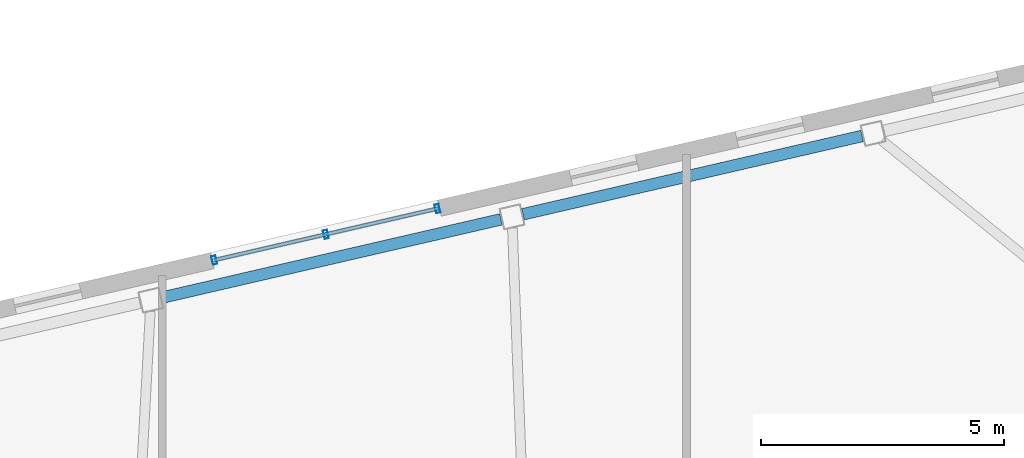
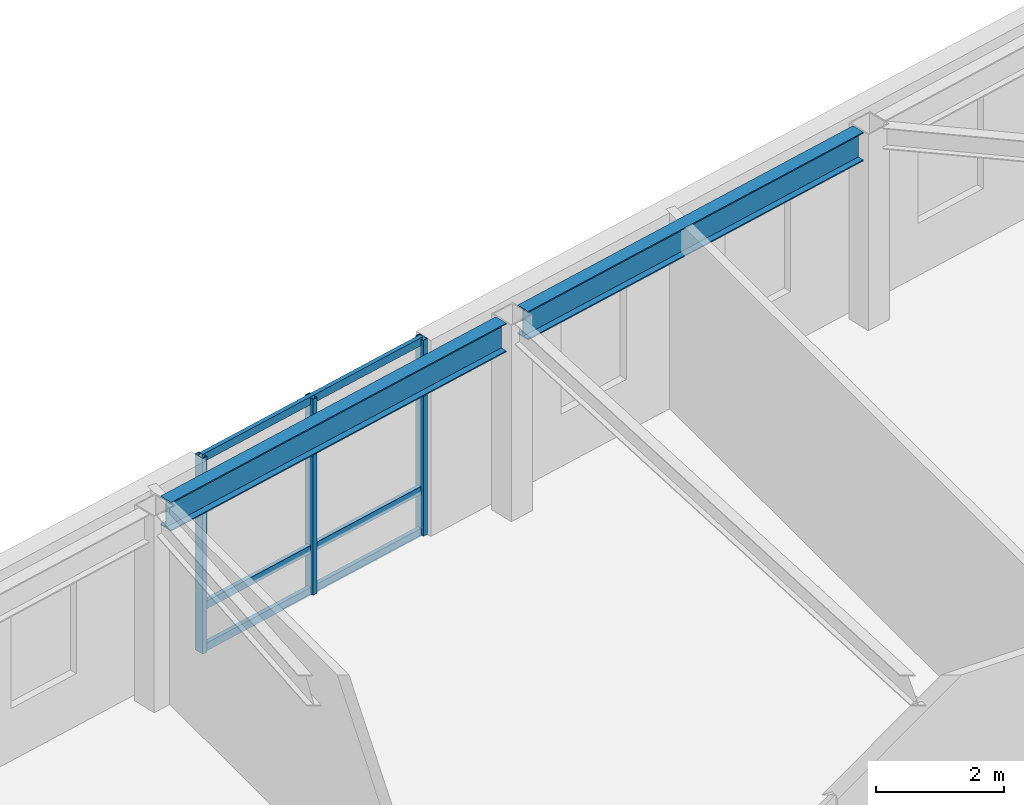
# One storey, part 14 of 23: 6 members, 2 beams, 1 element without a shape of its own.
"""IFC4 building model written with IfcOpenShell, lengths in metres."""

from ifc_helpers import new_model, si_unit, direction, frame, origin, origin_2d, place, context, subcontext, project, spatial, hollow_rectangle, i_section, extrude, material, layer, layer_set, material_profile, profile_set, type_object, element, aggregate, save


model = new_model("IFC4")

# Units and contexts
model_context = context("Model", 3, precision=1e-05, world=origin(), true_north=direction((0.0, 1.0)))
body_context = subcontext(model_context, "Body", "Model", "MODEL_VIEW")
ifc_project = project(units=[si_unit("LENGTHUNIT", "METRE"), si_unit("AREAUNIT", "SQUARE_METRE"), si_unit("VOLUMEUNIT", "CUBIC_METRE"), si_unit("PLANEANGLEUNIT", "RADIAN"), si_unit("MASSUNIT", "GRAM", prefix="KILO")], contexts=[model_context])

# Site, building, storey
site_placement = place(None, origin())
site = spatial("IfcSite", under=ifc_project, at=site_placement, CompositionType="ELEMENT")
building_placement = place(site_placement, origin())
building = spatial("IfcBuilding", under=site, at=building_placement, Name="Tavrogorsk Clinical Tower", CompositionType="ELEMENT")
storey_placement = place(building_placement, frame((0.0, 0.0, 301.0)))
storey = spatial("IfcBuildingStorey", under=building, at=storey_placement, Name="L70", CompositionType="ELEMENT", Elevation=301.0)

# Curtain wall, members
ifc_material_1 = material(Name="Anodised aluminium and triple IGU glazing", Category="aluminium")
ifc_layer = layer(ifc_material_1, 0.179931640625)
ifc_layer_set = layer_set([ifc_layer], Name="Anodised aluminium and triple IGU glazing")
curtain_wall_type = type_object("IfcCurtainWallType", Name="CW2_NorthSlot", PredefinedType="NOTDEFINED", material=ifc_layer_set)
curtain_wall_placement = place(storey_placement, origin())
curtain_wall = element("IfcCurtainWall", 1, at=curtain_wall_placement, inside=storey, type_object=curtain_wall_type, Name="L70 Curtain Wall CW-L70-N-SLOT-2", PredefinedType="NOTDEFINED")
ifc_material_2 = material(Name="Anodised aluminium alloy AW-6060", Category="aluminium")
ifc_material_profile_1 = material_profile(ifc_material_2, hollow_rectangle(XDim=0.090087890625, YDim=0.179931640625, WallThickness=0.00634765625, at=origin_2d()), Name="RHS-180x90x6.3")
ifc_profile_set_1 = profile_set([ifc_material_profile_1], Name="Anodised aluminium alloy AW-6060")
member_type_1 = type_object("IfcMemberType", Name="CwMullion_180x90", PredefinedType="MULLION", material=ifc_profile_set_1)
member_1_placement = place(storey_placement, frame((2.26904296875, 22.400634765625, 0.0), z_axis=(0.0, 0.0, 1.0), x_axis=(-0.974370092441, -0.224950934554, 0.0)))
member_1 = element("IfcMember", 2, at=member_1_placement, type_object=member_type_1, Name="CW-L70-N-SLOT-2 Mullion 1", PredefinedType="MULLION", context=body_context, shape_type="SweptSolid", body=[
    extrude(hollow_rectangle(XDim=0.090087890625, YDim=0.179931640625, WallThickness=0.00634765625, at=origin_2d()), origin(), (0.0, 0.0, 1.0), 3.739990234375),
])
member_2_placement = place(storey_placement, frame((-0.029541015625, 21.869873046875, 0.0), z_axis=(0.0, 0.0, 1.0), x_axis=(-0.974370092441, -0.224950934554, 0.0)))
member_2 = element("IfcMember", 3, at=member_2_placement, type_object=member_type_1, Name="CW-L70-N-SLOT-2 Mullion 2", PredefinedType="MULLION", context=body_context, shape_type="SweptSolid", body=[
    extrude(hollow_rectangle(XDim=0.090087890625, YDim=0.179931640625, WallThickness=0.00634765625, at=origin_2d()), origin(), (0.0, 0.0, 1.0), 3.739990234375),
])
member_3_placement = place(storey_placement, frame((-2.328125, 21.339111328125, 0.0), z_axis=(0.0, 0.0, 1.0), x_axis=(-0.974370092441, -0.224950934554, 0.0)))
member_3 = element("IfcMember", 4, at=member_3_placement, type_object=member_type_1, Name="CW-L70-N-SLOT-2 Mullion 3", PredefinedType="MULLION", context=body_context, shape_type="SweptSolid", body=[
    extrude(hollow_rectangle(XDim=0.090087890625, YDim=0.179931640625, WallThickness=0.00634765625, at=origin_2d()), origin(), (0.0, 0.0, 1.0), 3.739990234375),
])
ifc_material_3 = material(Name="Anodised aluminium alloy AW-6060", Category="aluminium")
ifc_material_profile_2 = material_profile(ifc_material_3, hollow_rectangle(XDim=0.074951171875, YDim=0.14990234375, WallThickness=0.0048828125, at=origin_2d()), Name="RHS-150x75x5")
ifc_profile_set_2 = profile_set([ifc_material_profile_2], Name="Anodised aluminium alloy AW-6060")
member_type_2 = type_object("IfcMemberType", Name="CwTransom_150x75", PredefinedType="USERDEFINED", material=ifc_profile_set_2)
member_4_placement = place(storey_placement, frame((2.26904296875, 22.400634765625, 0.050048828125), z_axis=(-0.974361535497, -0.224987995557, 0.0), x_axis=(0.224987995557, -0.974361535497, 0.0)))
member_4 = element("IfcMember", 5, at=member_4_placement, type_object=member_type_2, Name="CW-L70-N-SLOT-2 Transom 1", ObjectType="TRANSOM", PredefinedType="USERDEFINED", context=body_context, shape_type="SweptSolid", body=[
    extrude(hollow_rectangle(XDim=0.074951171875, YDim=0.14990234375, WallThickness=0.0048828125, at=origin_2d()), origin(), (0.0, 0.0, 1.0), 4.718017578125),
])
member_5_placement = place(storey_placement, frame((2.26904296875, 22.400634765625, 0.85009765625), z_axis=(-0.974361535497, -0.224987995557, 0.0), x_axis=(0.224987995557, -0.974361535497, 0.0)))
member_5 = element("IfcMember", 6, at=member_5_placement, type_object=member_type_2, Name="CW-L70-N-SLOT-2 Transom 2", ObjectType="TRANSOM", PredefinedType="USERDEFINED", context=body_context, shape_type="SweptSolid", body=[
    extrude(hollow_rectangle(XDim=0.074951171875, YDim=0.14990234375, WallThickness=0.0048828125, at=origin_2d()), origin(), (0.0, 0.0, 1.0), 4.718017578125),
])
member_6_placement = place(storey_placement, frame((2.26904296875, 22.400634765625, 3.68994140625), z_axis=(-0.974361535497, -0.224987995557, 0.0), x_axis=(0.224987995557, -0.974361535497, 0.0)))
member_6 = element("IfcMember", 7, at=member_6_placement, type_object=member_type_2, Name="CW-L70-N-SLOT-2 Transom 3", ObjectType="TRANSOM", PredefinedType="USERDEFINED", context=body_context, shape_type="SweptSolid", body=[
    extrude(hollow_rectangle(XDim=0.074951171875, YDim=0.14990234375, WallThickness=0.0048828125, at=origin_2d()), origin(), (0.0, 0.0, 1.0), 4.718017578125),
])
aggregate(curtain_wall, [member_1, member_2, member_3, member_4, member_5, member_6])

# Beams
ifc_material_4 = material(Name="Structural steel S390", Category="steel")
ifc_material_profile_3 = material_profile(ifc_material_4, i_section(OverallWidth=0.239990234375, OverallDepth=0.550048828125, WebThickness=0.013916015625, FlangeThickness=0.02197265625, at=origin_2d()), Name="B-550x240x14x22")
ifc_profile_set_3 = profile_set([ifc_material_profile_3], Name="Structural steel S390")
beam_type = type_object("IfcBeamType", Name="SpandrelBeam_B550", PredefinedType="SPANDREL", material=ifc_profile_set_3)
for number, where, z_axis, x_axis, name in (
    (8, (11.01611328125, 23.896484375, 3.465087890625), (-0.974369378592, -0.224954026551, 0.0), (0.224954026551, -0.974369378592, 0.0), "L70 Perimeter Spandrel N2-N3"),
    (9, (3.577392578125, 22.17919921875, 3.465087890625), (-0.974369378592, -0.224954026551, 0.0), (0.224954026551, -0.974369378592, 0.0), "L70 Perimeter Spandrel N3-N4"),
):
    element("IfcBeam", number, at=place(storey_placement, frame(where, z_axis=z_axis, x_axis=x_axis)), inside=storey, type_object=beam_type, Name=name, PredefinedType="SPANDREL", context=body_context, shape_type="SweptSolid", body=[
        extrude(i_section(OverallWidth=0.239990234375, OverallDepth=0.550048828125, WebThickness=0.013916015625, FlangeThickness=0.02197265625, at=origin_2d()), origin(), (0.0, 0.0, 1.0), 7.16845703125),
    ])

save(model, "model.ifc")
